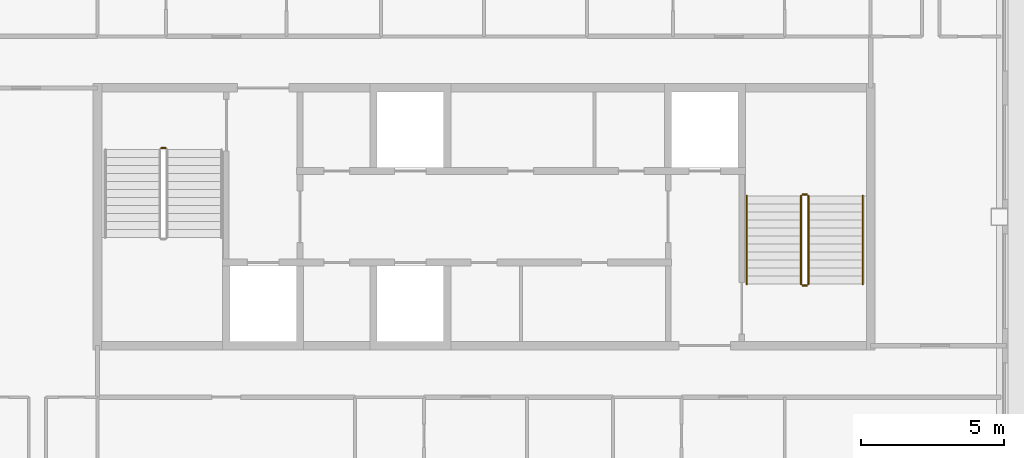
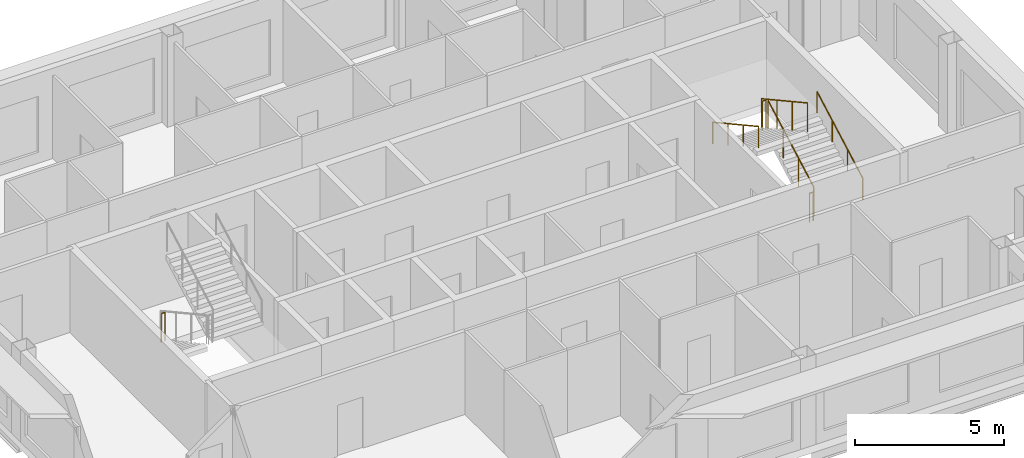
# One storey, part 11 of 11: 7 railings.
"""IFC4 building model written with IfcOpenShell, lengths in metres."""

from ifc_helpers import new_model, si_unit, direction, frame, origin, origin_2d, place, context, subcontext, project, spatial, circle, extrude, material, type_object, element, save


model = new_model("IFC4")

# Units and contexts
model_context = context("Model", 3, precision=1e-05, world=origin(), true_north=direction((0.0, 1.0)))
body_context = subcontext(model_context, "Body", "Model", "MODEL_VIEW")
ifc_project = project(units=[si_unit("LENGTHUNIT", "METRE"), si_unit("AREAUNIT", "SQUARE_METRE"), si_unit("VOLUMEUNIT", "CUBIC_METRE"), si_unit("PLANEANGLEUNIT", "RADIAN"), si_unit("MASSUNIT", "GRAM", prefix="KILO")], contexts=[model_context])

# Site, building, storey
site_placement = place(None, origin())
site = spatial("IfcSite", under=ifc_project, at=site_placement, CompositionType="ELEMENT")
building_placement = place(site_placement, origin())
building = spatial("IfcBuilding", under=site, at=building_placement, Name="Caravel Reach Hotel and Residences", CompositionType="ELEMENT")
storey_placement = place(building_placement, frame((0.0, 0.0, 287.10009765625)))
storey = spatial("IfcBuildingStorey", under=building, at=storey_placement, Name="L73", CompositionType="ELEMENT", Elevation=287.10009765625)

# Railings
ifc_material_1 = material(Name="Steel balustrade with glass infill", Category="steel")
railing_type_1 = type_object("IfcRailingType", Name="Guard 1200", PredefinedType="GUARDRAIL", material=ifc_material_1)
railing_1_placement = place(storey_placement, frame((20.22509765625, 29.39990234375, 0.0)))
element("IfcRailing", 1, at=railing_1_placement, inside=storey, type_object=railing_type_1, Name="L73 ST-A stair guard 4", PredefinedType="GUARDRAIL", context=body_context, shape_type="SweptSolid", body=[
    extrude(circle(Radius=0.02392578125, at=origin_2d()), frame((0.0, 0.0, 1.17578125), z_axis=(1.0, 0.0, 0.0), x_axis=(0.0, 1.0, 0.0)), (0.0, 0.0, 1.0), 0.14990234375),
    extrude(circle(Radius=0.02099609375, at=origin_2d()), origin(), (0.0, 0.0, 1.0), 1.15185546875),
    extrude(circle(Radius=0.02099609375, at=origin_2d()), frame((0.14990234375, 0.0, 0.0)), (0.0, 0.0, 1.0), 1.15185546875),
])
railing_2_placement = place(storey_placement, frame((42.824951171875, 24.64990234375, 0.154052734375)))
element("IfcRailing", 2, at=railing_2_placement, inside=storey, type_object=railing_type_1, Name="L73 ST-B stair guard 1", PredefinedType="GUARDRAIL", context=body_context, shape_type="SweptSolid", body=[
    extrude(circle(Radius=0.02392578125, at=origin_2d()), frame((0.0, 0.0, 1.17578125), z_axis=(0.0, 0.876004717809, 0.482302534076), x_axis=(-1.0, 0.0, 0.0)), (0.0, 0.0, 1.0), 3.51611328125),
    extrude(circle(Radius=0.02099609375, at=origin_2d()), origin(), (0.0, 0.0, 1.0), 1.15185546875),
    extrude(circle(Radius=0.02099609375, at=origin_2d()), frame((0.0, 1.026611328125, 0.565185546875)), (0.0, 0.0, 1.0), 1.15185546875),
    extrude(circle(Radius=0.02099609375, at=origin_2d()), frame((0.0, 2.053466796875, 1.130615234375)), (0.0, 0.0, 1.0), 1.15185546875),
    extrude(circle(Radius=0.02099609375, at=origin_2d()), frame((0.0, 3.080078125, 1.69580078125)), (0.0, 0.0, 1.0), 1.15185546875),
])
railing_3_placement = place(storey_placement, frame((42.77490234375, 27.780029296875, 1.849853515625)))
element("IfcRailing", 3, at=railing_3_placement, inside=storey, type_object=railing_type_1, Name="L73 ST-B stair guard 2", PredefinedType="GUARDRAIL", context=body_context, shape_type="SweptSolid", body=[
    extrude(circle(Radius=0.02392578125, at=origin_2d()), frame((0.0, 0.0, 1.17578125), z_axis=(-1.0, 0.0, 0.0), x_axis=(0.0, -1.0, 0.0)), (0.0, 0.0, 1.0), 0.14990234375),
    extrude(circle(Radius=0.02099609375, at=origin_2d()), origin(), (0.0, 0.0, 1.0), 1.15185546875),
    extrude(circle(Radius=0.02099609375, at=origin_2d()), frame((-0.14990234375, 0.0, 0.0)), (0.0, 0.0, 1.0), 1.15185546875),
])
railing_4_placement = place(storey_placement, frame((42.574951171875, 27.72998046875, 2.004150390625)))
element("IfcRailing", 4, at=railing_4_placement, inside=storey, type_object=railing_type_1, Name="L73 ST-B stair guard 3", PredefinedType="GUARDRAIL", context=body_context, shape_type="SweptSolid", body=[
    extrude(circle(Radius=0.02392578125, at=origin_2d()), frame((0.0, 0.0, 1.17578125), z_axis=(0.0, -0.876004717809, 0.482302534076), x_axis=(1.0, 0.0, 0.0)), (0.0, 0.0, 1.0), 3.51611328125),
    extrude(circle(Radius=0.02099609375, at=origin_2d()), origin(), (0.0, 0.0, 1.0), 1.15185546875),
    extrude(circle(Radius=0.02099609375, at=origin_2d()), frame((0.0, -1.026611328125, 0.565185546875)), (0.0, 0.0, 1.0), 1.15185546875),
    extrude(circle(Radius=0.02099609375, at=origin_2d()), frame((0.0, -2.053466796875, 1.130615234375)), (0.0, 0.0, 1.0), 1.15185546875),
    extrude(circle(Radius=0.02099609375, at=origin_2d()), frame((0.0, -3.080078125, 1.69580078125)), (0.0, 0.0, 1.0), 1.15185546875),
])
railing_5_placement = place(storey_placement, frame((42.77490234375, 24.60009765625, 0.0)))
element("IfcRailing", 5, at=railing_5_placement, inside=storey, type_object=railing_type_1, Name="L73 ST-B stair guard 4", PredefinedType="GUARDRAIL", context=body_context, shape_type="SweptSolid", body=[
    extrude(circle(Radius=0.02392578125, at=origin_2d()), frame((0.0, 0.0, 1.17578125), z_axis=(-1.0, 0.0, 0.0), x_axis=(0.0, -1.0, 0.0)), (0.0, 0.0, 1.0), 0.14990234375),
    extrude(circle(Radius=0.02099609375, at=origin_2d()), origin(), (0.0, 0.0, 1.0), 1.15185546875),
    extrude(circle(Radius=0.02099609375, at=origin_2d()), frame((-0.14990234375, 0.0, 0.0)), (0.0, 0.0, 1.0), 1.15185546875),
])
ifc_material_2 = material(Name="Stainless steel handrail", Category="steel")
railing_type_2 = type_object("IfcRailingType", Name="Handrail 900", PredefinedType="HANDRAIL", material=ifc_material_2)
railing_6_placement = place(storey_placement, frame((44.72509765625, 24.64990234375, 0.154052734375)))
element("IfcRailing", 6, at=railing_6_placement, inside=storey, type_object=railing_type_2, Name="L73 ST-B stair handrail 1", PredefinedType="HANDRAIL", context=body_context, shape_type="SweptSolid", body=[
    extrude(circle(Radius=0.02392578125, at=origin_2d()), frame((0.0, 0.0, 0.8759765625), z_axis=(0.0, 0.876004717809, 0.482302534076), x_axis=(-1.0, 0.0, 0.0)), (0.0, 0.0, 1.0), 3.51611328125),
    extrude(circle(Radius=0.02099609375, at=origin_2d()), origin(), (0.0, 0.0, 1.0), 0.851806640625),
    extrude(circle(Radius=0.02099609375, at=origin_2d()), frame((0.0, 1.026611328125, 0.565185546875)), (0.0, 0.0, 1.0), 0.851806640625),
    extrude(circle(Radius=0.02099609375, at=origin_2d()), frame((0.0, 2.053466796875, 1.130615234375)), (0.0, 0.0, 1.0), 0.851806640625),
    extrude(circle(Radius=0.02099609375, at=origin_2d()), frame((0.0, 3.080078125, 1.69580078125)), (0.0, 0.0, 1.0), 0.851806640625),
])
railing_7_placement = place(storey_placement, frame((40.675048828125, 27.72998046875, 2.004150390625)))
element("IfcRailing", 7, at=railing_7_placement, inside=storey, type_object=railing_type_2, Name="L73 ST-B stair handrail 2", PredefinedType="HANDRAIL", context=body_context, shape_type="SweptSolid", body=[
    extrude(circle(Radius=0.02392578125, at=origin_2d()), frame((0.0, 0.0, 0.8759765625), z_axis=(0.0, -0.876004717809, 0.482302534076), x_axis=(1.0, 0.0, 0.0)), (0.0, 0.0, 1.0), 3.51611328125),
    extrude(circle(Radius=0.02099609375, at=origin_2d()), origin(), (0.0, 0.0, 1.0), 0.851806640625),
    extrude(circle(Radius=0.02099609375, at=origin_2d()), frame((0.0, -1.026611328125, 0.565185546875)), (0.0, 0.0, 1.0), 0.851806640625),
    extrude(circle(Radius=0.02099609375, at=origin_2d()), frame((0.0, -2.053466796875, 1.130615234375)), (0.0, 0.0, 1.0), 0.851806640625),
    extrude(circle(Radius=0.02099609375, at=origin_2d()), frame((0.0, -3.080078125, 1.69580078125)), (0.0, 0.0, 1.0), 0.851806640625),
])

save(model, "model.ifc")
